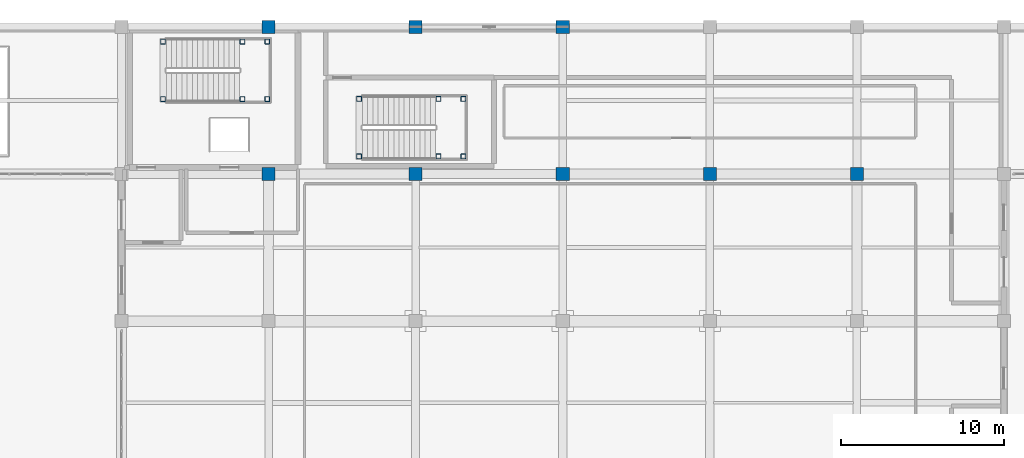
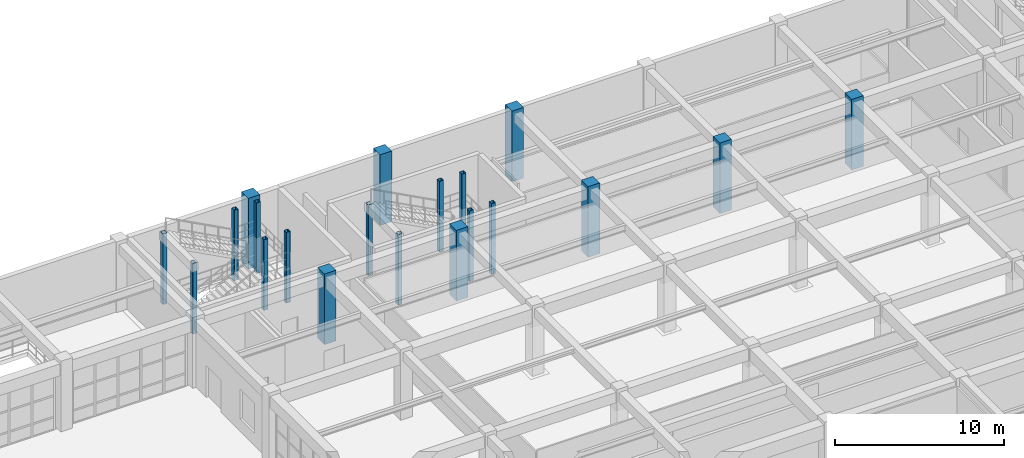
# One storey, part 12 of 128: 20 columns.
"""IFC4 building model written with IfcOpenShell, lengths in metres."""

from ifc_helpers import new_model, si_unit, direction, frame, origin, origin_2d, place, context, subcontext, project, spatial, rectangle, hollow_rectangle, extrude, material, material_profile, profile_set, type_object, element, save


model = new_model("IFC4")

# Units and contexts
model_context = context("Model", 3, precision=1e-05, world=origin(), true_north=direction((0.0, 1.0)))
body_context = subcontext(model_context, "Body", "Model", "MODEL_VIEW")
ifc_project = project(units=[si_unit("LENGTHUNIT", "METRE"), si_unit("AREAUNIT", "SQUARE_METRE"), si_unit("VOLUMEUNIT", "CUBIC_METRE"), si_unit("PLANEANGLEUNIT", "RADIAN"), si_unit("MASSUNIT", "GRAM", prefix="KILO")], contexts=[model_context])

# Site, building, storey
site_placement = place(None, origin())
site = spatial("IfcSite", under=ifc_project, at=site_placement, CompositionType="ELEMENT")
building_placement = place(site_placement, origin())
building = spatial("IfcBuilding", under=site, at=building_placement, Name="Miravela Opera House", CompositionType="ELEMENT")
storey_placement = place(building_placement, origin())
storey = spatial("IfcBuildingStorey", under=building, at=storey_placement, Name="L00", CompositionType="ELEMENT", Elevation=0.0)

# Columns
ifc_material_1 = material(Name="Hollow structural steel ASTM A500 Gr. C", Category="steel")
ifc_material_profile_1 = material_profile(ifc_material_1, hollow_rectangle(XDim=0.300048828125, YDim=0.300048828125, WallThickness=0.01611328125, InnerFilletRadius=0.01611328125, OuterFilletRadius=0.031982421875, at=origin_2d()), Name="HSS300X300X16")
ifc_profile_set_1 = profile_set([ifc_material_profile_1])
column_type_1 = type_object("IfcColumnType", Name="STR-COL-HSS300", PredefinedType="COLUMN", material=ifc_profile_set_1)
for number, where, z_axis, x_axis, name in (
    (1, (65.5400390625, 107.580078125, 0.0), (0.0, 0.0, 1.0), (1.0, 0.0, 0.0), "Stair K5 Landing Support Column 1 (L00)"),
    (2, (65.5400390625, 111.10009765625, 0.0), (0.0, 0.0, 1.0), (1.0, 0.0, 0.0), "Stair K5 Landing Support Column 2 (L00)"),
    (3, (70.39990234375, 107.580078125, 0.0), (0.0, 0.0, 1.0), (1.0, 0.0, 0.0), "Stair K5 Landing Support Column 3 (L00)"),
    (4, (70.39990234375, 111.10009765625, 0.0), (0.0, 0.0, 1.0), (1.0, 0.0, 0.0), "Stair K5 Landing Support Column 4 (L00)"),
    (5, (71.919921875, 107.580078125, 0.0), (0.0, 0.0, 1.0), (1.0, 0.0, 0.0), "Stair K5 Landing Support Column 5 (L00)"),
    (6, (71.919921875, 111.10009765625, 0.0), (0.0, 0.0, 1.0), (1.0, 0.0, 0.0), "Stair K5 Landing Support Column 6 (L00)"),
    (7, (77.5400390625, 104.080078125, 0.0), (0.0, 0.0, 1.0), (1.0, 0.0, 0.0), "Stair ST-07 Landing Support Column 1 (L00)"),
    (8, (77.5400390625, 107.60009765625, 0.0), (0.0, 0.0, 1.0), (1.0, 0.0, 0.0), "Stair ST-07 Landing Support Column 2 (L00)"),
    (9, (82.39990234375, 104.080078125, 0.0), (0.0, 0.0, 1.0), (1.0, 0.0, 0.0), "Stair ST-07 Landing Support Column 3 (L00)"),
    (10, (82.39990234375, 107.60009765625, 0.0), (0.0, 0.0, 1.0), (1.0, 0.0, 0.0), "Stair ST-07 Landing Support Column 4 (L00)"),
    (11, (83.919921875, 104.080078125, 0.0), (0.0, 0.0, 1.0), (1.0, 0.0, 0.0), "Stair ST-07 Landing Support Column 5 (L00)"),
    (12, (83.919921875, 107.60009765625, 0.0), (0.0, 0.0, 1.0), (1.0, 0.0, 0.0), "Stair ST-07 Landing Support Column 6 (L00)"),
):
    element("IfcColumn", number, at=place(storey_placement, frame(where, z_axis=z_axis, x_axis=x_axis)), inside=storey, type_object=column_type_1, Name=name, PredefinedType="COLUMN", context=body_context, shape_type="SweptSolid", body=[
        extrude(hollow_rectangle(XDim=0.300048828125, YDim=0.300048828125, WallThickness=0.01611328125, InnerFilletRadius=0.01611328125, OuterFilletRadius=0.031982421875, at=origin_2d()), origin(), (0.0, 0.0, 1.0), 5.10009765625),
    ])
ifc_material_2 = material(Name="Concrete C40/50", Category="concrete")
ifc_material_profile_2 = material_profile(ifc_material_2, rectangle(XDim=0.800048828125, YDim=0.800048828125, at=origin_2d()), Name="RC-COL-800X800")
ifc_profile_set_2 = profile_set([ifc_material_profile_2])
column_type_2 = type_object("IfcColumnType", Name="STR-COL-RC800", PredefinedType="COLUMN", material=ifc_profile_set_2)
for number, where, z_axis, x_axis, name in (
    (13, (81.0, 103.0, 0.0), (0.0, 0.0, 1.0), (1.0, 0.0, 0.0), "Column C-10L (L00)"),
    (14, (81.0, 112.0, 0.0), (0.0, 0.0, 1.0), (1.0, 0.0, 0.0), "Column C-10M (L00)"),
    (15, (90.0, 103.0, 0.0), (0.0, 0.0, 1.0), (1.0, 0.0, 0.0), "Column C-11L (L00)"),
    (16, (90.0, 112.0, 0.0), (0.0, 0.0, 1.0), (1.0, 0.0, 0.0), "Column C-11M (L00)"),
    (17, (99.0, 103.0, 0.0), (0.0, 0.0, 1.0), (1.0, 0.0, 0.0), "Column C-12L (L00)"),
    (18, (108.0, 103.0, 0.0), (0.0, 0.0, 1.0), (1.0, 0.0, 0.0), "Column C-13L (L00)"),
    (19, (72.0, 103.0, 0.0), (0.0, 0.0, 1.0), (1.0, 0.0, 0.0), "Column C-9L (L00)"),
    (20, (72.0, 112.0, 0.0), (0.0, 0.0, 1.0), (1.0, 0.0, 0.0), "Column C-9M (L00)"),
):
    element("IfcColumn", number, at=place(storey_placement, frame(where, z_axis=z_axis, x_axis=x_axis)), inside=storey, type_object=column_type_2, Name=name, PredefinedType="COLUMN", context=body_context, shape_type="SweptSolid", body=[
        extrude(rectangle(XDim=0.800048828125, YDim=0.800048828125, at=origin_2d()), origin(), (0.0, 0.0, 1.0), 5.10009765625),
    ])

save(model, "model.ifc")
